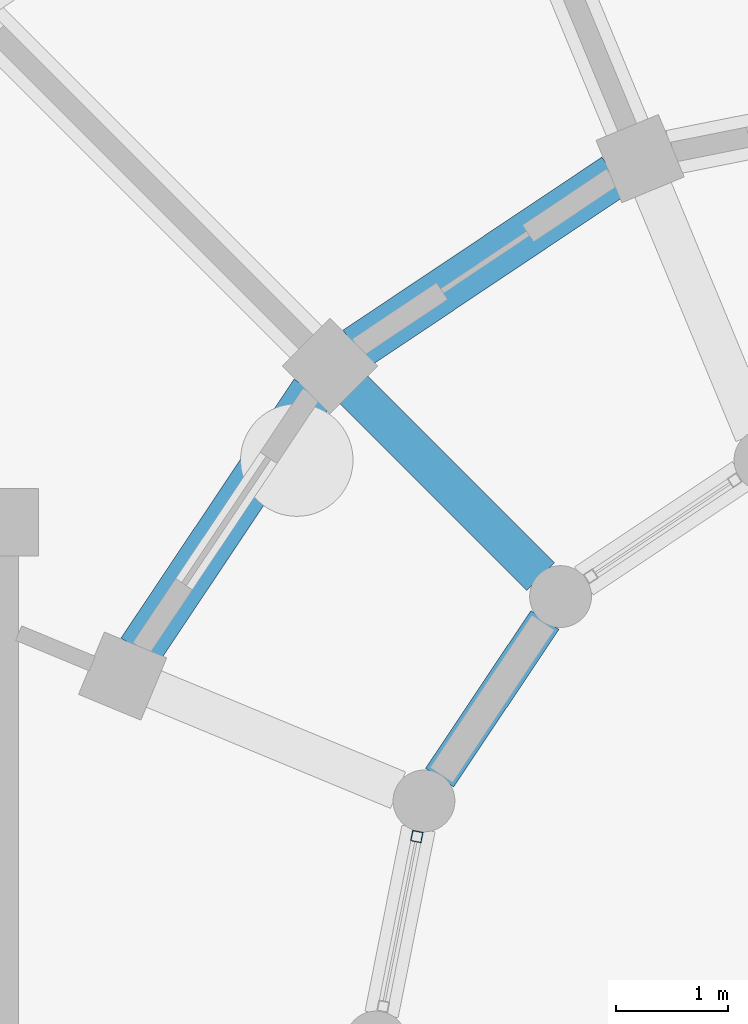
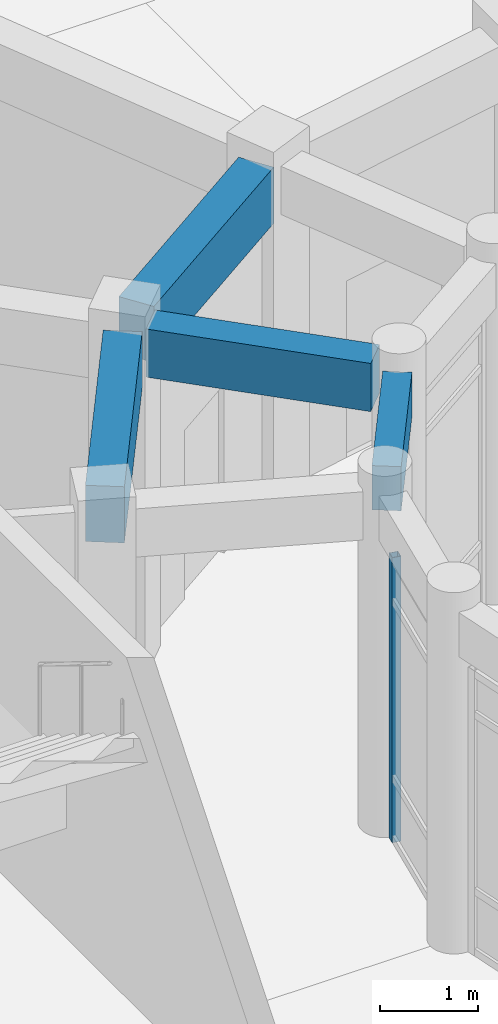
# One storey, part 72 of 153: 4 beams, 1 member, 1 element without a shape of its own.
"""IFC4 building model written with IfcOpenShell, lengths in metres."""

from ifc_helpers import new_model, si_unit, direction, frame, origin, origin_2d, place, context, subcontext, project, spatial, rectangle, hollow_rectangle, extrude, material, material_profile, profile_set, type_object, element, aggregate, save


model = new_model("IFC4")

# Units and contexts
model_context = context("Model", 3, precision=1e-05, world=origin(), true_north=direction((0.0, 1.0)))
body_context = subcontext(model_context, "Body", "Model", "MODEL_VIEW")
ifc_project = project(units=[si_unit("LENGTHUNIT", "METRE"), si_unit("AREAUNIT", "SQUARE_METRE"), si_unit("VOLUMEUNIT", "CUBIC_METRE"), si_unit("PLANEANGLEUNIT", "RADIAN"), si_unit("MASSUNIT", "GRAM", prefix="KILO")], contexts=[model_context])

# Site, building, storey
site_placement = place(None, origin())
site = spatial("IfcSite", under=ifc_project, at=site_placement, CompositionType="ELEMENT")
building_placement = place(site_placement, origin())
building = spatial("IfcBuilding", under=site, at=building_placement, Name="Celadon Cloister-Ring School", CompositionType="ELEMENT")
storey_placement = place(building_placement, origin())
storey = spatial("IfcBuildingStorey", under=building, at=storey_placement, Name="L00", CompositionType="ELEMENT", Elevation=0.0)

# Beam
ifc_material_1 = material(Name="Concrete C35/45", Category="concrete")
ifc_material_profile_1 = material_profile(ifc_material_1, rectangle(XDim=0.35009765625, YDim=0.60009765625, at=origin_2d()), Name="RC350X600")
ifc_profile_set_1 = profile_set([ifc_material_profile_1], Name="Concrete C35/45")
beam_type_1 = type_object("IfcBeamType", Name="BT-02", PredefinedType="BEAM", material=ifc_profile_set_1)
beam_1_placement = place(storey_placement, frame((14.384033203125, 102.81591796875, 3.9599609375), z_axis=(0.707106781187, -0.707106781187, 0.0), x_axis=(0.707106781187, 0.707106781187, 0.0)))
element("IfcBeam", 1, at=beam_1_placement, inside=storey, type_object=beam_type_1, Name="Beam 0599", PredefinedType="BEAM", context=body_context, shape_type="SweptSolid", body=[
    extrude(rectangle(XDim=0.35009765625, YDim=0.60009765625, at=origin_2d()), origin(), (0.0, 0.0, 1.0), 2.37451171875),
])

# Curtain wall, member
ifc_material_2 = material(Name="Aluminium EN AW-6063 T6", Category="aluminium")
curtain_wall_type = type_object("IfcCurtainWallType", Name="CW-03", PredefinedType="USERDEFINED", material=ifc_material_2)
curtain_wall_placement = place(storey_placement, origin())
curtain_wall = element("IfcCurtainWall", 2, at=curtain_wall_placement, inside=storey, type_object=curtain_wall_type, Name="Curtain Wall 0084", ObjectType="CURTAIN WALL", PredefinedType="USERDEFINED")
ifc_material_3 = material(Name="Aluminium EN AW-6063 T6", Category="aluminium")
ifc_material_profile_2 = material_profile(ifc_material_3, hollow_rectangle(XDim=0.094970703125, YDim=0.094970703125, WallThickness=0.00390625, at=origin_2d()), Name="RHS95X95X4")
ifc_profile_set_2 = profile_set([ifc_material_profile_2], Name="Aluminium EN AW-6063 T6")
member_type = type_object("IfcMemberType", Name="CM-02", PredefinedType="MULLION", material=ifc_profile_set_2)
member_placement = place(storey_placement, frame((14.962646484375, 98.826416015625, 0.0), z_axis=(0.0, 0.0, 1.0), x_axis=(0.980885435464, -0.194586131301, 0.0)))
member = element("IfcMember", 3, at=member_placement, type_object=member_type, Name="CW-03 mullion 1", PredefinedType="MULLION", context=body_context, shape_type="SweptSolid", body=[
    extrude(hollow_rectangle(XDim=0.094970703125, YDim=0.094970703125, WallThickness=0.00390625, at=origin_2d()), origin(), (0.0, 0.0, 1.0), 3.550048828125),
])
aggregate(curtain_wall, [member])

# Beams
ifc_material_4 = material(Name="Concrete C35/45", Category="concrete")
ifc_material_profile_3 = material_profile(ifc_material_4, rectangle(XDim=0.39990234375, YDim=0.699951171875, at=origin_2d()), Name="RC400X700")
ifc_profile_set_3 = profile_set([ifc_material_profile_3], Name="Concrete C35/45")
beam_type_2 = type_object("IfcBeamType", Name="GT-03", PredefinedType="USERDEFINED", material=ifc_profile_set_3)
beam_2_placement = place(storey_placement, frame((16.718017578125, 104.699951171875, 3.909912109375), z_axis=(-0.831356966973, -0.555738781682, 0.0), x_axis=(0.555738781682, -0.831356966973, 0.0)))
element("IfcBeam", 4, at=beam_2_placement, inside=storey, type_object=beam_type_2, Name="Beam 0628", ObjectType="GIRDER", PredefinedType="USERDEFINED", context=body_context, shape_type="SweptSolid", body=[
    extrude(rectangle(XDim=0.39990234375, YDim=0.699951171875, at=origin_2d()), origin(), (0.0, 0.0, 1.0), 2.765380859375),
])
beam_3_placement = place(storey_placement, frame((14.037109375, 102.781005859375, 3.909912109375), z_axis=(-0.555799794079, -0.83131617866, 0.0), x_axis=(0.83131617866, -0.555799794079, 0.0)))
element("IfcBeam", 5, at=beam_3_placement, inside=storey, type_object=beam_type_2, Name="Beam 0632", ObjectType="GIRDER", PredefinedType="USERDEFINED", context=body_context, shape_type="SweptSolid", body=[
    extrude(rectangle(XDim=0.39990234375, YDim=0.699951171875, at=origin_2d()), origin(), (0.0, 0.0, 1.0), 2.765625),
])
ifc_material_5 = material(Name="Concrete C35/45", Category="concrete")
ifc_material_profile_4 = material_profile(ifc_material_5, rectangle(XDim=0.300048828125, YDim=0.550048828125, at=origin_2d()), Name="RC300X550")
ifc_profile_set_4 = profile_set([ifc_material_profile_4], Name="Concrete C35/45")
beam_type_3 = type_object("IfcBeamType", Name="SP-02", PredefinedType="SPANDREL", material=ifc_profile_set_4)
beam_4_placement = place(storey_placement, frame((16.10107421875, 100.751953125, 3.985107421875), z_axis=(-0.555569328961, -0.831470216374, 0.0), x_axis=(0.831470216374, -0.555569328961, 0.0)))
element("IfcBeam", 6, at=beam_4_placement, inside=storey, type_object=beam_type_3, Name="Beam 0633", PredefinedType="SPANDREL", context=body_context, shape_type="SweptSolid", body=[
    extrude(rectangle(XDim=0.300048828125, YDim=0.550048828125, at=origin_2d()), origin(), (0.0, 0.0, 1.0), 1.684814453125),
])

save(model, "model.ifc")
